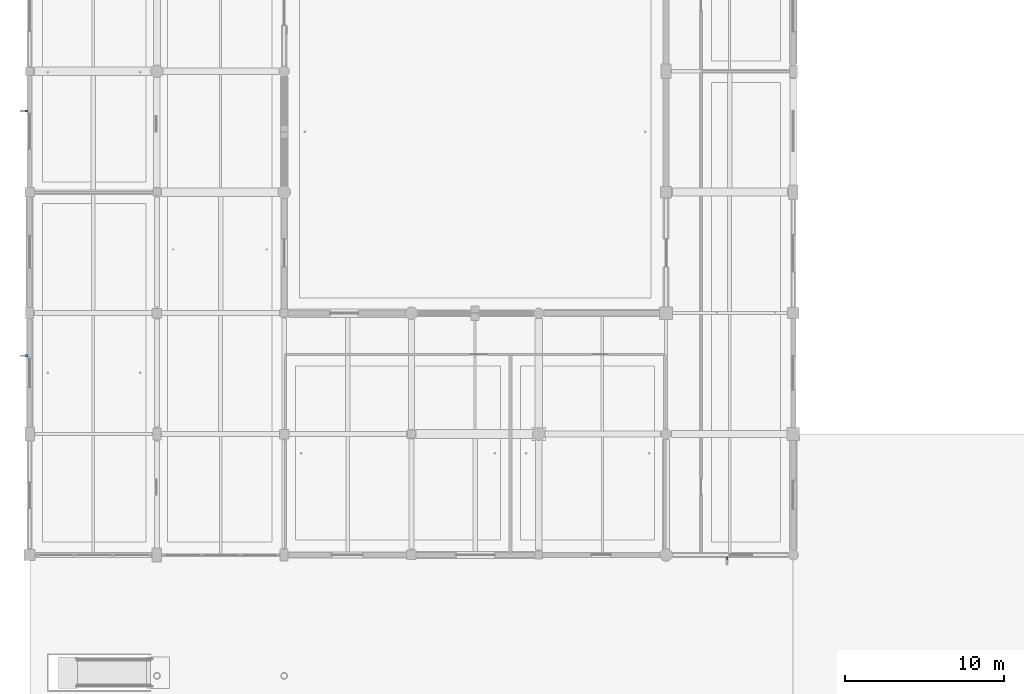
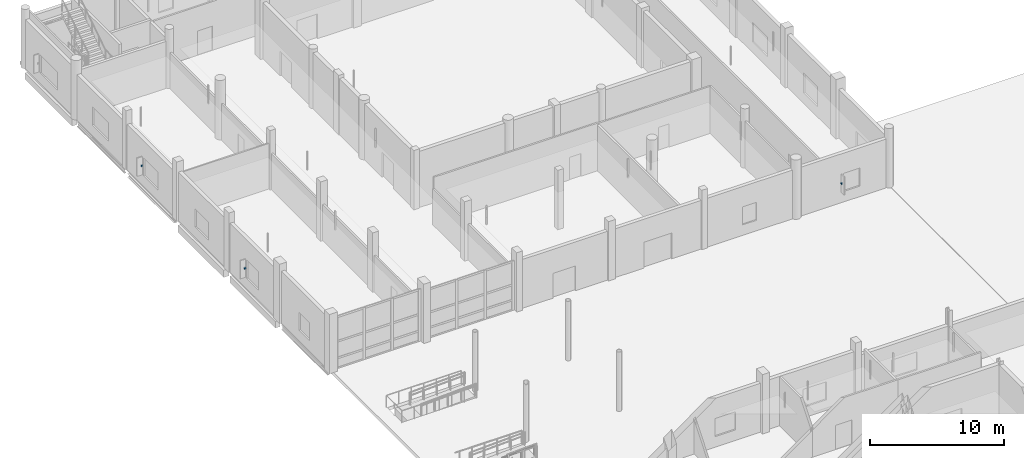
# One storey, part 104 of 126: 3 discrete accessories.
"""IFC4 building model written with IfcOpenShell, lengths in metres."""

from ifc_helpers import new_model, si_unit, direction, frame, origin, origin_2d, place, context, subcontext, project, spatial, rectangle, extrude, material, type_object, element, save


model = new_model("IFC4")

# Units and contexts
model_context = context("Model", 3, precision=1e-05, world=origin(), true_north=direction((0.0, 1.0)))
body_context = subcontext(model_context, "Body", "Model", "MODEL_VIEW")
ifc_project = project(units=[si_unit("LENGTHUNIT", "METRE"), si_unit("AREAUNIT", "SQUARE_METRE"), si_unit("VOLUMEUNIT", "CUBIC_METRE"), si_unit("PLANEANGLEUNIT", "RADIAN"), si_unit("MASSUNIT", "GRAM", prefix="KILO")], contexts=[model_context])

# Site, building, storey
site_placement = place(None, origin())
site = spatial("IfcSite", under=ifc_project, at=site_placement, CompositionType="ELEMENT")
building_placement = place(site_placement, origin())
building = spatial("IfcBuilding", under=site, at=building_placement, Name="Khelvaren Railside Concert Hall", CompositionType="ELEMENT")
storey_placement = place(building_placement, origin())
storey = spatial("IfcBuildingStorey", under=building, at=storey_placement, Name="L00", CompositionType="ELEMENT", Elevation=0.0)

# Discrete accessories
ifc_material = material(Name="Architectural stainless steel Grade 316", Category="steel")
discrete_accessory_type = type_object("IfcDiscreteAccessoryType", Name="BRK87", PredefinedType="BRACKET", material=ifc_material)
for number, where, z_axis, x_axis, name in (
    (1, (43.83251953125, 68.205078125, 1.705078125), (0.0, 0.0, 1.0), (-1.0, 0.0, 0.0), "Solar Fin Bracket EW-V4-L00-S-40"),
    (2, (-0.195068359375, 80.91748046875, 1.705078125), (0.0, 0.0, 1.0), (0.0, 1.0, 0.0), "Solar Fin Bracket EW-V4-L00-W-76"),
    (3, (-0.195068359375, 96.304931640625, 1.705078125), (0.0, 0.0, 1.0), (0.0, 1.0, 0.0), "Solar Fin Bracket EW-V4-L00-W-91"),
):
    element("IfcDiscreteAccessory", number, at=place(storey_placement, frame(where, z_axis=z_axis, x_axis=x_axis)), inside=storey, type_object=discrete_accessory_type, Name=name, PredefinedType="BRACKET", context=body_context, shape_type="SweptSolid", body=[
        extrude(rectangle(XDim=0.139892578125, YDim=0.159912109375, at=origin_2d()), origin(), (0.0, 0.0, 1.0), 0.139892578125),
    ])

save(model, "model.ifc")
